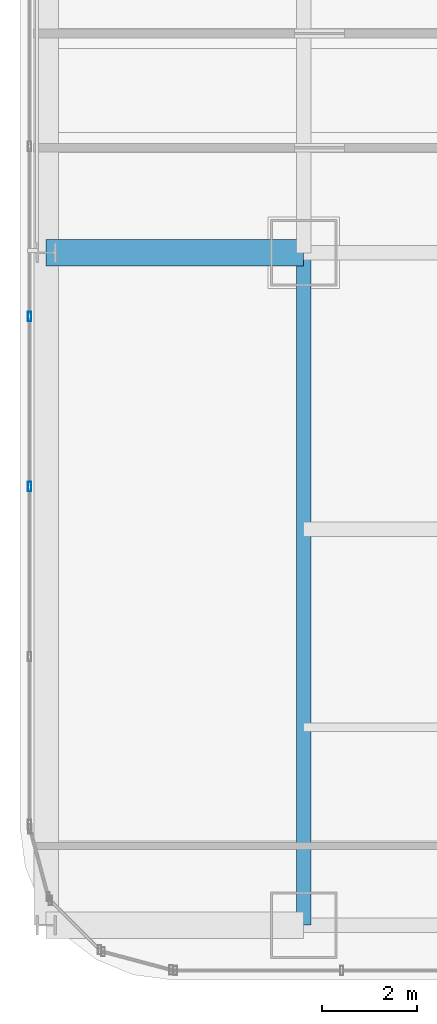
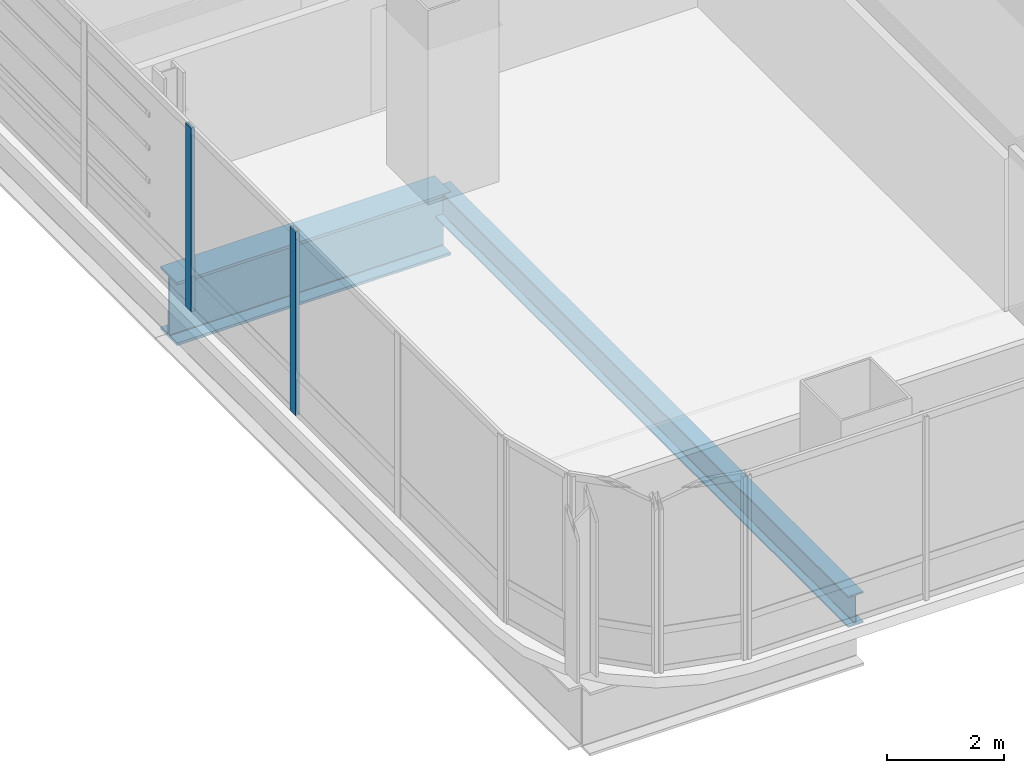
# One storey, part 5 of 38: 2 beams, 2 members, 1 element without a shape of its own.
"""IFC4 building model written with IfcOpenShell, lengths in metres."""

from ifc_helpers import new_model, si_unit, direction, frame, origin, origin_2d, place, context, subcontext, project, spatial, hollow_rectangle, i_section, extrude, material, material_profile, profile_set, type_object, element, aggregate, save


model = new_model("IFC4")

# Units and contexts
model_context = context("Model", 3, precision=1e-05, world=origin(), true_north=direction((0.0, 1.0)))
body_context = subcontext(model_context, "Body", "Model", "MODEL_VIEW")
ifc_project = project(units=[si_unit("LENGTHUNIT", "METRE"), si_unit("AREAUNIT", "SQUARE_METRE"), si_unit("VOLUMEUNIT", "CUBIC_METRE"), si_unit("PLANEANGLEUNIT", "RADIAN"), si_unit("MASSUNIT", "GRAM", prefix="KILO")], contexts=[model_context])

# Site, building, storey
site_placement = place(None, origin())
site = spatial("IfcSite", under=ifc_project, at=site_placement, CompositionType="ELEMENT")
building_placement = place(site_placement, origin())
building = spatial("IfcBuilding", under=site, at=building_placement, Name="Punatoya Terracotta Tower", CompositionType="ELEMENT")
storey_placement = place(building_placement, frame((0.0, 0.0, 143.85009765625)))
storey = spatial("IfcBuildingStorey", under=building, at=storey_placement, Name="L33", CompositionType="ELEMENT", Elevation=143.85009765625)

# Beams
ifc_material_1 = material(Name="Steel S355", Category="steel")
ifc_material_profile_1 = material_profile(ifc_material_1, i_section(OverallWidth=0.300048828125, OverallDepth=0.64990234375, WebThickness=0.01611328125, FlangeThickness=0.031005859375, FilletRadius=0.01806640625, at=origin_2d()))
ifc_profile_set_1 = profile_set([ifc_material_profile_1], Name="Steel S355")
beam_type_1 = type_object("IfcBeamType", Name="BM-PRI-650", PredefinedType="BEAM", material=ifc_profile_set_1)
beam_1_placement = place(storey_placement, frame((-19.10009765625, -17.5, -0.545166015625), z_axis=(0.0, 1.0, 0.0), x_axis=(-1.0, 0.0, 0.0)))
element("IfcBeam", 1, at=beam_1_placement, inside=storey, type_object=beam_type_1, Name="BM-L33-RG-W1", PredefinedType="BEAM", context=body_context, shape_type="SweptSolid", body=[
    extrude(i_section(OverallWidth=0.300048828125, OverallDepth=0.64990234375, WebThickness=0.01611328125, FlangeThickness=0.031005859375, FilletRadius=0.01806640625, at=origin_2d()), origin(), (0.0, 0.0, 1.0), 14.10009765625),
])
ifc_material_2 = material(Name="Steel S460", Category="steel")
ifc_material_profile_2 = material_profile(ifc_material_2, i_section(OverallWidth=0.56005859375, OverallDepth=1.320068359375, WebThickness=0.035888671875, FlangeThickness=0.054931640625, FilletRadius=0.01806640625, at=origin_2d()))
ifc_profile_set_2 = profile_set([ifc_material_profile_2], Name="Steel S460")
beam_type_2 = type_object("IfcBeamType", Name="BM-TG-BLK", PredefinedType="BEAM", material=ifc_profile_set_2)
beam_2_placement = place(storey_placement, frame((-24.5, -3.39990234375, -0.880126953125), z_axis=(1.0, 0.0, 0.0), x_axis=(0.0, 1.0, 0.0)))
element("IfcBeam", 2, at=beam_2_placement, inside=storey, type_object=beam_type_2, Name="BM-L33-CANT-W2", PredefinedType="BEAM", context=body_context, shape_type="SweptSolid", body=[
    extrude(i_section(OverallWidth=0.56005859375, OverallDepth=1.320068359375, WebThickness=0.035888671875, FlangeThickness=0.054931640625, FilletRadius=0.01806640625, at=origin_2d()), origin(), (0.0, 0.0, 1.0), 5.39990234375),
])

# Curtain wall, members
ifc_material_3 = material(Name="Aluminium 6063-T6 + Double Low-E Glass", Category="aluminium")
curtain_wall_type = type_object("IfcCurtainWallType", Name="CW-M2", PredefinedType="NOTDEFINED", material=ifc_material_3)
curtain_wall_placement = place(storey_placement, origin())
curtain_wall = element("IfcCurtainWall", 3, at=curtain_wall_placement, inside=storey, type_object=curtain_wall_type, Name="L33 Curtain Wall CW-L33-W13-1", PredefinedType="NOTDEFINED")
ifc_material_4 = material(Name="Aluminium 6063-T6", Category="aluminium")
ifc_material_profile_3 = material_profile(ifc_material_4, hollow_rectangle(XDim=0.072021484375, YDim=0.195068359375, WallThickness=0.00439453125, at=origin_2d()))
ifc_profile_set_3 = profile_set([ifc_material_profile_3], Name="Aluminium 6063-T6")
member_type = type_object("IfcMemberType", Name="CW-MUL-M2", PredefinedType="MULLION", material=ifc_profile_set_3)
member_1_placement = place(storey_placement, frame((-24.85009765625, -4.73486328125, 0.0), z_axis=(0.0, 0.0, 1.0), x_axis=(1.0, 0.0, 0.0)))
member_1 = element("IfcMember", 4, at=member_1_placement, type_object=member_type, Name="CW-L33-W13-1 Mullion 07", PredefinedType="MULLION", context=body_context, shape_type="SweptSolid", body=[
    extrude(hollow_rectangle(XDim=0.072021484375, YDim=0.195068359375, WallThickness=0.00439453125, at=origin_2d()), origin(), (0.0, 0.0, 1.0), 3.829833984375),
])
member_2_placement = place(storey_placement, frame((-24.85009765625, -8.302001953125, 0.0), z_axis=(0.0, 0.0, 1.0), x_axis=(1.0, 0.0, 0.0)))
member_2 = element("IfcMember", 5, at=member_2_placement, type_object=member_type, Name="CW-L33-W13-1 Mullion 08", PredefinedType="MULLION", context=body_context, shape_type="SweptSolid", body=[
    extrude(hollow_rectangle(XDim=0.072021484375, YDim=0.195068359375, WallThickness=0.00439453125, at=origin_2d()), origin(), (0.0, 0.0, 1.0), 3.829833984375),
])
aggregate(curtain_wall, [member_1, member_2])

save(model, "model.ifc")
